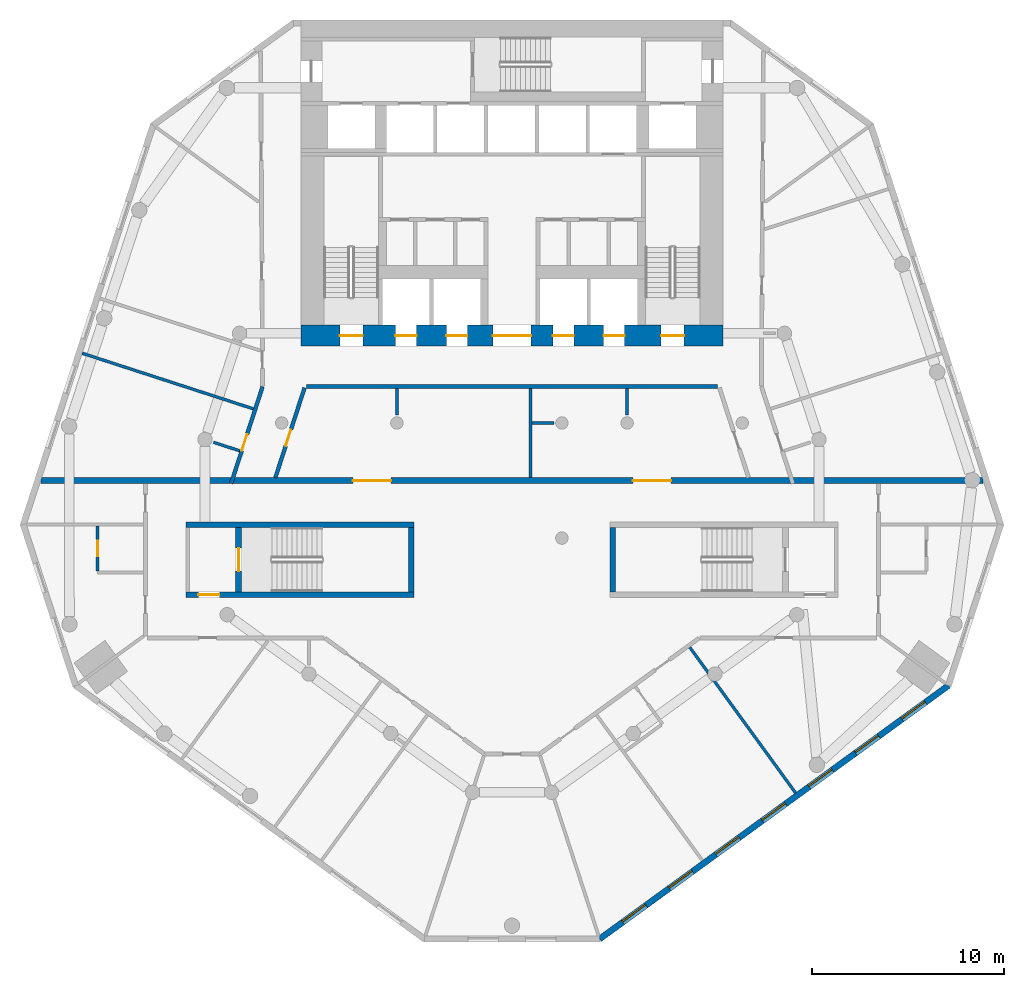
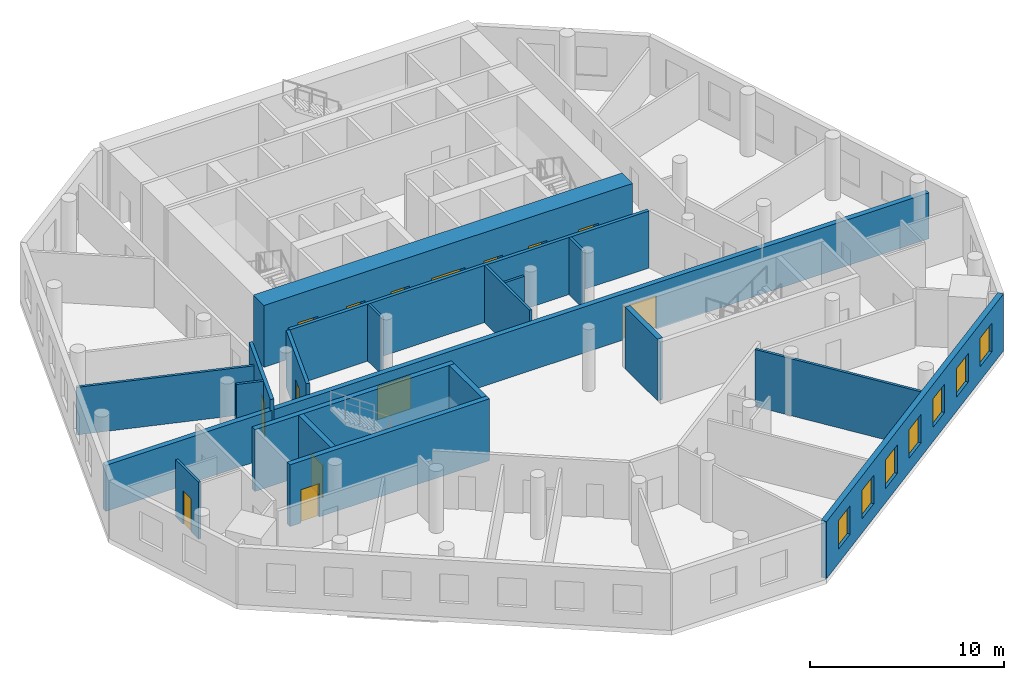
# One storey, part 3 of 9: 19 walls, 14 doors, 7 windows, 21 openings.
"""IFC4 building model written with IfcOpenShell, lengths in metres."""

from ifc_helpers import new_model, si_unit, direction, frame, frame_2d, origin, place, context, subcontext, project, spatial, rectangle, extrude, material, layer, layer_set, type_object, element, fill, save


model = new_model("IFC4")

# Units and contexts
model_context = context("Model", 3, precision=1e-05, world=origin(), true_north=direction((0.0, 1.0)))
body_context = subcontext(model_context, "Body", "Model", "MODEL_VIEW")
ifc_project = project(units=[si_unit("LENGTHUNIT", "METRE"), si_unit("AREAUNIT", "SQUARE_METRE"), si_unit("VOLUMEUNIT", "CUBIC_METRE"), si_unit("PLANEANGLEUNIT", "RADIAN"), si_unit("MASSUNIT", "GRAM", prefix="KILO")], contexts=[model_context])

# Site, building, storey
site_placement = place(None, origin())
site = spatial("IfcSite", under=ifc_project, at=site_placement, CompositionType="ELEMENT")
building_placement = place(site_placement, origin())
building = spatial("IfcBuilding", under=site, at=building_placement, Name="White Candle Pilgrim Tower", CompositionType="ELEMENT")
storey_placement = place(building_placement, frame((0.0, 0.0, 133.699951171875)))
storey = spatial("IfcBuildingStorey", under=building, at=storey_placement, Name="L30", CompositionType="ELEMENT", Elevation=133.699951171875)

# Wall, opening, door
ifc_material_1 = material(Name="Gypsum board on steel studs", Category="steel")
ifc_layer_1 = layer(ifc_material_1, 0.199951171875)
ifc_layer_set_1 = layer_set([ifc_layer_1], Name="Corridor wall 200 mm EI 45")
wall_type_1 = type_object("IfcWallType", Name="Corridor wall 200 mm EI 45", PredefinedType="PARTITIONING", material=ifc_layer_set_1)
wall_1_placement = place(storey_placement, frame((55.363037109375, 63.85009765625, 0.0), z_axis=(0.0, 0.0, 1.0), x_axis=(0.309051657945, 0.95104525272, 0.0)))
wall_1 = element("IfcWall", 1, at=wall_1_placement, inside=storey, type_object=wall_type_1, Name="WL-L30-P002", PredefinedType="PARTITIONING", context=body_context, shape_type="SweptSolid", body=[
    extrude(rectangle(XDim=5.29345703125, YDim=0.199951171875, at=frame_2d((2.646728515625, 0.0))), origin(), (0.0, 0.0, 1.0), 3.60009765625),
])
opening_1_placement = place(wall_1_placement, frame((1.79150390625, 0.0, 0.0)))
opening_1 = element("IfcOpeningElement", 2, at=opening_1_placement, cuts=wall_1, Name="Opening T09-117", PredefinedType="OPENING", context=body_context, shape_type="SweptSolid", body=[
    extrude(rectangle(XDim=0.89990234375, YDim=2.10009765625, at=frame_2d((0.449951171875, 1.050048828125))), frame((0.0, 0.10986328125, 0.0), z_axis=(0.0, -1.0, 0.0), x_axis=(1.0, 0.0, 0.0)), (0.0, 0.0, 1.0), 0.219970703125),
])
ifc_material_2 = material(Name="Steel door leaf", Category="steel")
door_type_1 = type_object("IfcDoorType", Name="Fire door 900 x 2100 EI 30", OperationType="NOTDEFINED", PredefinedType="DOOR", material=ifc_material_2)
door_1_placement = place(opening_1_placement, origin())
door_1 = element("IfcDoor", 3, at=door_1_placement, inside=storey, type_object=door_type_1, Name="Door T09-117", OperationType="SINGLE_SWING_LEFT", OverallHeight=2.10009765625, OverallWidth=0.89990234375, PredefinedType="DOOR", context=body_context, shape_type="SweptSolid", body=[
    extrude(rectangle(XDim=0.89990234375, YDim=2.10009765625, at=frame_2d((0.449951171875, 1.050048828125))), frame((0.0, 0.02490234375, 0.0), z_axis=(0.0, -1.0, 0.0), x_axis=(1.0, 0.0, 0.0)), (0.0, 0.0, 1.0), 0.050048828125),
])
fill(opening_1, door_1)

# Wall
wall_2_placement = place(storey_placement, frame((80.71533203125, 68.89990234375, 0.0), z_axis=(0.0, 0.0, 1.0), x_axis=(-1.0, 0.0, 0.0)))
element("IfcWall", 4, at=wall_2_placement, inside=storey, type_object=wall_type_1, Name="WL-L30-P013", PredefinedType="PARTITIONING", context=body_context, shape_type="SweptSolid", body=[
    extrude(rectangle(XDim=21.4306640625, YDim=0.199951171875, at=frame_2d((10.71533203125, 0.0))), origin(), (0.0, 0.0, 1.0), 3.60009765625),
])

# Wall, opening, door
wall_3_placement = place(storey_placement, frame((59.189697265625, 68.830810546875, 0.0), z_axis=(0.0, 0.0, 1.0), x_axis=(-0.309031112369, -0.951051928965, 0.0)))
wall_3 = element("IfcWall", 5, at=wall_3_placement, inside=storey, type_object=wall_type_1, Name="WL-L30-P014", PredefinedType="PARTITIONING", context=body_context, shape_type="SweptSolid", body=[
    extrude(rectangle(XDim=4.921875, YDim=0.199951171875, at=frame_2d((2.4609375, 0.0))), origin(), (0.0, 0.0, 1.0), 3.60009765625),
])
opening_2_placement = place(wall_3_placement, frame((2.29150390625, 0.0, 0.0)))
opening_2 = element("IfcOpeningElement", 6, at=opening_2_placement, cuts=wall_3, Name="Opening T09-127", PredefinedType="OPENING", context=body_context, shape_type="SweptSolid", body=[
    extrude(rectangle(XDim=0.89990234375, YDim=2.10009765625, at=frame_2d((0.449951171875, 1.050048828125))), frame((0.0, 0.10986328125, 0.0), z_axis=(0.0, -1.0, 0.0), x_axis=(1.0, 0.0, 0.0)), (0.0, 0.0, 1.0), 0.219970703125),
])
door_2_placement = place(opening_2_placement, origin())
door_2 = element("IfcDoor", 7, at=door_2_placement, inside=storey, type_object=door_type_1, Name="Door T09-127", OperationType="SINGLE_SWING_LEFT", OverallHeight=2.10009765625, OverallWidth=0.89990234375, PredefinedType="DOOR", context=body_context, shape_type="SweptSolid", body=[
    extrude(rectangle(XDim=0.89990234375, YDim=2.10009765625, at=frame_2d((0.449951171875, 1.050048828125))), frame((0.0, 0.02490234375, 0.0), z_axis=(0.0, -1.0, 0.0), x_axis=(1.0, 0.0, 0.0)), (0.0, 0.0, 1.0), 0.050048828125),
])
fill(opening_2, door_2)

# Wall, openings, windows
ifc_material_3 = material(Name="Precast concrete C40/50", Category="concrete")
ifc_layer_2 = layer(ifc_material_3, 0.320068359375)
ifc_layer_set_2 = layer_set([ifc_layer_2], Name="Facade wall EW1 precast concrete C40/50 pier wall with timber-lined reveals")
wall_type_2 = type_object("IfcWallType", Name="Facade wall EW1 precast concrete C40/50 pier wall with timber-lined reveals", PredefinedType="SOLIDWALL", material=ifc_layer_set_2)
wall_4_placement = place(storey_placement, frame((74.56787109375, 40.106689453125, 0.0), z_axis=(0.0, 0.0, 1.0), x_axis=(0.809018352132, 0.587783383496, 0.0)))
wall_4 = element("IfcWall", 8, at=wall_4_placement, inside=storey, type_object=wall_type_2, Name="Facade wall L30 SE", PredefinedType="SOLIDWALL", context=body_context, shape_type="SweptSolid", body=[
    extrude(rectangle(XDim=22.47119140625, YDim=0.320068359375, at=frame_2d((11.235595703125, 0.0))), origin(), (0.0, 0.0, 1.0), 3.60009765625),
])
opening_3_placement = place(wall_4_placement, frame((1.485595703125, 0.0, 0.89990234375)))
opening_3 = element("IfcOpeningElement", 9, at=opening_3_placement, cuts=wall_4, Name="Opening W1", PredefinedType="OPENING", context=body_context, shape_type="SweptSolid", body=[
    extrude(rectangle(XDim=1.5, YDim=1.800048828125, at=frame_2d((0.75, 0.89990234375))), frame((0.0, 0.169921875, 0.0), z_axis=(0.0, -1.0, 0.0), x_axis=(1.0, 0.0, 0.0)), (0.0, 0.0, 1.0), 0.340087890625),
])
opening_4_placement = place(wall_4_placement, frame((4.485595703125, 0.0, 0.89990234375)))
opening_4 = element("IfcOpeningElement", 10, at=opening_4_placement, cuts=wall_4, Name="Opening W1", PredefinedType="OPENING", context=body_context, shape_type="SweptSolid", body=[
    extrude(rectangle(XDim=1.5, YDim=1.800048828125, at=frame_2d((0.75, 0.89990234375))), frame((0.0, 0.169921875, 0.0), z_axis=(0.0, -1.0, 0.0), x_axis=(1.0, 0.0, 0.0)), (0.0, 0.0, 1.0), 0.340087890625),
])
opening_5_placement = place(wall_4_placement, frame((7.485595703125, 0.0, 0.89990234375)))
opening_5 = element("IfcOpeningElement", 11, at=opening_5_placement, cuts=wall_4, Name="Opening W1", PredefinedType="OPENING", context=body_context, shape_type="SweptSolid", body=[
    extrude(rectangle(XDim=1.5, YDim=1.800048828125, at=frame_2d((0.75, 0.89990234375))), frame((0.0, 0.169921875, 0.0), z_axis=(0.0, -1.0, 0.0), x_axis=(1.0, 0.0, 0.0)), (0.0, 0.0, 1.0), 0.340087890625),
])
opening_6_placement = place(wall_4_placement, frame((10.485595703125, 0.0, 0.89990234375)))
opening_6 = element("IfcOpeningElement", 12, at=opening_6_placement, cuts=wall_4, Name="Opening W1", PredefinedType="OPENING", context=body_context, shape_type="SweptSolid", body=[
    extrude(rectangle(XDim=1.5, YDim=1.800048828125, at=frame_2d((0.75, 0.89990234375))), frame((0.0, 0.169921875, 0.0), z_axis=(0.0, -1.0, 0.0), x_axis=(1.0, 0.0, 0.0)), (0.0, 0.0, 1.0), 0.340087890625),
])
opening_7_placement = place(wall_4_placement, frame((13.485595703125, 0.0, 0.89990234375)))
opening_7 = element("IfcOpeningElement", 13, at=opening_7_placement, cuts=wall_4, Name="Opening W1", PredefinedType="OPENING", context=body_context, shape_type="SweptSolid", body=[
    extrude(rectangle(XDim=1.5, YDim=1.800048828125, at=frame_2d((0.75, 0.89990234375))), frame((0.0, 0.169921875, 0.0), z_axis=(0.0, -1.0, 0.0), x_axis=(1.0, 0.0, 0.0)), (0.0, 0.0, 1.0), 0.340087890625),
])
opening_8_placement = place(wall_4_placement, frame((16.485595703125, 0.0, 0.89990234375)))
opening_8 = element("IfcOpeningElement", 14, at=opening_8_placement, cuts=wall_4, Name="Opening W1", PredefinedType="OPENING", context=body_context, shape_type="SweptSolid", body=[
    extrude(rectangle(XDim=1.5, YDim=1.800048828125, at=frame_2d((0.75, 0.89990234375))), frame((0.0, 0.169921875, 0.0), z_axis=(0.0, -1.0, 0.0), x_axis=(1.0, 0.0, 0.0)), (0.0, 0.0, 1.0), 0.340087890625),
])
opening_9_placement = place(wall_4_placement, frame((19.485595703125, 0.0, 0.89990234375)))
opening_9 = element("IfcOpeningElement", 15, at=opening_9_placement, cuts=wall_4, Name="Opening W1", PredefinedType="OPENING", context=body_context, shape_type="SweptSolid", body=[
    extrude(rectangle(XDim=1.5, YDim=1.800048828125, at=frame_2d((0.75, 0.89990234375))), frame((0.0, 0.169921875, 0.0), z_axis=(0.0, -1.0, 0.0), x_axis=(1.0, 0.0, 0.0)), (0.0, 0.0, 1.0), 0.340087890625),
])
ifc_material_4 = material(Name="Timber frame with triple glazing", Category="wood")
window_type = type_object("IfcWindowType", Name="Window W1 1500x1800 timber frame triple glazing", PartitioningType="SINGLE_PANEL", PredefinedType="WINDOW", material=ifc_material_4)
window_1_placement = place(opening_3_placement, origin())
window_1 = element("IfcWindow", 16, at=window_1_placement, inside=storey, type_object=window_type, Name="Window W1 L30 SE 1", OverallHeight=1.800048828125, OverallWidth=1.5, PartitioningType="SINGLE_PANEL", PredefinedType="WINDOW", context=body_context, shape_type="SweptSolid", body=[
    extrude(rectangle(XDim=1.5, YDim=1.800048828125, at=frame_2d((0.75, 0.89990234375))), frame((0.0, 0.070068359375, 0.0), z_axis=(0.0, -1.0, 0.0), x_axis=(1.0, 0.0, 0.0)), (0.0, 0.0, 1.0), 0.06005859375),
])
fill(opening_3, window_1)
window_2_placement = place(opening_4_placement, origin())
window_2 = element("IfcWindow", 17, at=window_2_placement, inside=storey, type_object=window_type, Name="Window W1 L30 SE 2", OverallHeight=1.800048828125, OverallWidth=1.5, PartitioningType="SINGLE_PANEL", PredefinedType="WINDOW", context=body_context, shape_type="SweptSolid", body=[
    extrude(rectangle(XDim=1.5, YDim=1.800048828125, at=frame_2d((0.75, 0.89990234375))), frame((0.0, 0.070068359375, 0.0), z_axis=(0.0, -1.0, 0.0), x_axis=(1.0, 0.0, 0.0)), (0.0, 0.0, 1.0), 0.06005859375),
])
fill(opening_4, window_2)
window_3_placement = place(opening_5_placement, origin())
window_3 = element("IfcWindow", 18, at=window_3_placement, inside=storey, type_object=window_type, Name="Window W1 L30 SE 3", OverallHeight=1.800048828125, OverallWidth=1.5, PartitioningType="SINGLE_PANEL", PredefinedType="WINDOW", context=body_context, shape_type="SweptSolid", body=[
    extrude(rectangle(XDim=1.5, YDim=1.800048828125, at=frame_2d((0.75, 0.89990234375))), frame((0.0, 0.070068359375, 0.0), z_axis=(0.0, -1.0, 0.0), x_axis=(1.0, 0.0, 0.0)), (0.0, 0.0, 1.0), 0.06005859375),
])
fill(opening_5, window_3)
window_4_placement = place(opening_6_placement, origin())
window_4 = element("IfcWindow", 19, at=window_4_placement, inside=storey, type_object=window_type, Name="Window W1 L30 SE 4", OverallHeight=1.800048828125, OverallWidth=1.5, PartitioningType="SINGLE_PANEL", PredefinedType="WINDOW", context=body_context, shape_type="SweptSolid", body=[
    extrude(rectangle(XDim=1.5, YDim=1.800048828125, at=frame_2d((0.75, 0.89990234375))), frame((0.0, 0.070068359375, 0.0), z_axis=(0.0, -1.0, 0.0), x_axis=(1.0, 0.0, 0.0)), (0.0, 0.0, 1.0), 0.06005859375),
])
fill(opening_6, window_4)
window_5_placement = place(opening_7_placement, origin())
window_5 = element("IfcWindow", 20, at=window_5_placement, inside=storey, type_object=window_type, Name="Window W1 L30 SE 5", OverallHeight=1.800048828125, OverallWidth=1.5, PartitioningType="SINGLE_PANEL", PredefinedType="WINDOW", context=body_context, shape_type="SweptSolid", body=[
    extrude(rectangle(XDim=1.5, YDim=1.800048828125, at=frame_2d((0.75, 0.89990234375))), frame((0.0, 0.070068359375, 0.0), z_axis=(0.0, -1.0, 0.0), x_axis=(1.0, 0.0, 0.0)), (0.0, 0.0, 1.0), 0.06005859375),
])
fill(opening_7, window_5)
window_6_placement = place(opening_8_placement, origin())
window_6 = element("IfcWindow", 21, at=window_6_placement, inside=storey, type_object=window_type, Name="Window W1 L30 SE 6", OverallHeight=1.800048828125, OverallWidth=1.5, PartitioningType="SINGLE_PANEL", PredefinedType="WINDOW", context=body_context, shape_type="SweptSolid", body=[
    extrude(rectangle(XDim=1.5, YDim=1.800048828125, at=frame_2d((0.75, 0.89990234375))), frame((0.0, 0.070068359375, 0.0), z_axis=(0.0, -1.0, 0.0), x_axis=(1.0, 0.0, 0.0)), (0.0, 0.0, 1.0), 0.06005859375),
])
fill(opening_8, window_6)
window_7_placement = place(opening_9_placement, origin())
window_7 = element("IfcWindow", 22, at=window_7_placement, inside=storey, type_object=window_type, Name="Window W1 L30 SE 7", OverallHeight=1.800048828125, OverallWidth=1.5, PartitioningType="SINGLE_PANEL", PredefinedType="WINDOW", context=body_context, shape_type="SweptSolid", body=[
    extrude(rectangle(XDim=1.5, YDim=1.800048828125, at=frame_2d((0.75, 0.89990234375))), frame((0.0, 0.070068359375, 0.0), z_axis=(0.0, -1.0, 0.0), x_axis=(1.0, 0.0, 0.0)), (0.0, 0.0, 1.0), 0.06005859375),
])
fill(opening_9, window_7)

# Wall, openings, doors
ifc_material_5 = material(Name="Aerated concrete block", Category="concrete")
ifc_layer_3 = layer(ifc_material_5, 0.300048828125)
ifc_layer_set_3 = layer_set([ifc_layer_3], Name="Fire wall 300 mm REI 240")
wall_type_3 = type_object("IfcWallType", Name="Fire wall 300 mm REI 240", PredefinedType="PARTITIONING", material=ifc_layer_set_3)
wall_5_placement = place(storey_placement, frame((45.444091796875, 64.0, 0.0), z_axis=(0.0, 0.0, 1.0), x_axis=(1.0, 0.0, 0.0)))
wall_5 = element("IfcWall", 23, at=wall_5_placement, inside=storey, type_object=wall_type_3, Name="WL-L30-P001", PredefinedType="PARTITIONING", context=body_context, shape_type="SweptSolid", body=[
    extrude(rectangle(XDim=49.11181640625, YDim=0.300048828125, at=frame_2d((24.555908203125, 0.0))), origin(), (0.0, 0.0, 1.0), 2.900146484375),
])
opening_10_placement = place(wall_5_placement, frame((16.261962890625, 0.0, 0.0)))
opening_10 = element("IfcOpeningElement", 24, at=opening_10_placement, cuts=wall_5, Name="Opening T09-114", PredefinedType="OPENING", context=body_context, shape_type="SweptSolid", body=[
    extrude(rectangle(XDim=2.0, YDim=2.10009765625, at=frame_2d((1.0, 1.050048828125))), frame((0.0, 0.159912109375, 0.0), z_axis=(0.0, -1.0, 0.0), x_axis=(1.0, 0.0, 0.0)), (0.0, 0.0, 1.0), 0.320068359375),
])
opening_11_placement = place(wall_5_placement, frame((30.85009765625, 0.0, 0.0)))
opening_11 = element("IfcOpeningElement", 25, at=opening_11_placement, cuts=wall_5, Name="Opening T09-115", PredefinedType="OPENING", context=body_context, shape_type="SweptSolid", body=[
    extrude(rectangle(XDim=2.0, YDim=2.10009765625, at=frame_2d((1.0, 1.050048828125))), frame((0.0, 0.159912109375, 0.0), z_axis=(0.0, -1.0, 0.0), x_axis=(1.0, 0.0, 0.0)), (0.0, 0.0, 1.0), 0.320068359375),
])
door_type_2 = type_object("IfcDoorType", Name="Fire door 2000 x 2100 EI 60", OperationType="NOTDEFINED", PredefinedType="DOOR", material=ifc_material_2)
door_3_placement = place(opening_10_placement, origin())
door_3 = element("IfcDoor", 26, at=door_3_placement, inside=storey, type_object=door_type_2, Name="Door T09-114", OperationType="DOUBLE_DOOR_SINGLE_SWING", OverallHeight=2.10009765625, OverallWidth=2.0, PredefinedType="DOOR", context=body_context, shape_type="SweptSolid", body=[
    extrude(rectangle(XDim=2.0, YDim=2.10009765625, at=frame_2d((1.0, 1.050048828125))), frame((0.0, 0.02490234375, 0.0), z_axis=(0.0, -1.0, 0.0), x_axis=(1.0, 0.0, 0.0)), (0.0, 0.0, 1.0), 0.050048828125),
])
fill(opening_10, door_3)
door_4_placement = place(opening_11_placement, origin())
door_4 = element("IfcDoor", 27, at=door_4_placement, inside=storey, type_object=door_type_2, Name="Door T09-115", OperationType="DOUBLE_DOOR_SINGLE_SWING", OverallHeight=2.10009765625, OverallWidth=2.0, PredefinedType="DOOR", context=body_context, shape_type="SweptSolid", body=[
    extrude(rectangle(XDim=2.0, YDim=2.10009765625, at=frame_2d((1.0, 1.050048828125))), frame((0.0, 0.02490234375, 0.0), z_axis=(0.0, -1.0, 0.0), x_axis=(1.0, 0.0, 0.0)), (0.0, 0.0, 1.0), 0.050048828125),
])
fill(opening_11, door_4)

# Wall
ifc_layer_4 = layer(ifc_material_1, 0.14990234375)
ifc_layer_set_4 = layer_set([ifc_layer_4], Name="Partition 150 mm EI 60")
wall_type_4 = type_object("IfcWallType", Name="Partition 150 mm EI 60", PredefinedType="PARTITIONING", material=ifc_layer_set_4)
wall_6_placement = place(storey_placement, frame((47.599609375, 70.6337890625, 0.0), z_axis=(0.0, 0.0, 1.0), x_axis=(0.951060843481, -0.309003676349, 0.0)))
element("IfcWall", 28, at=wall_6_placement, inside=storey, type_object=wall_type_4, Name="WL-L30-P025", PredefinedType="PARTITIONING", context=body_context, shape_type="SweptSolid", body=[
    extrude(rectangle(XDim=9.3798828125, YDim=0.14990234375, at=frame_2d((4.68994140625, 0.0))), origin(), (0.0, 0.0, 1.0), 3.0),
])

# Wall, opening, door
wall_7_placement = place(storey_placement, frame((48.39990234375, 61.624267578125, 0.0), z_axis=(0.0, 0.0, 1.0), x_axis=(0.0, -1.0, 0.0)))
wall_7 = element("IfcWall", 29, at=wall_7_placement, inside=storey, type_object=wall_type_4, Name="WL-L30-P027", PredefinedType="PARTITIONING", context=body_context, shape_type="SweptSolid", body=[
    extrude(rectangle(XDim=2.35009765625, YDim=0.14990234375, at=frame_2d((1.175048828125, 0.0))), origin(), (0.0, 0.0, 1.0), 3.60009765625),
])
opening_12_placement = place(wall_7_placement, frame((0.77490234375, 0.0, 0.0)))
opening_12 = element("IfcOpeningElement", 30, at=opening_12_placement, cuts=wall_7, Name="Opening T09-101", PredefinedType="OPENING", context=body_context, shape_type="SweptSolid", body=[
    extrude(rectangle(XDim=0.800048828125, YDim=2.10009765625, at=frame_2d((0.39990234375, 1.050048828125))), frame((0.0, 0.0849609375, 0.0), z_axis=(0.0, -1.0, 0.0), x_axis=(1.0, 0.0, 0.0)), (0.0, 0.0, 1.0), 0.169921875),
])
door_type_3 = type_object("IfcDoorType", Name="Fire door 800 x 2100 EI 30", OperationType="NOTDEFINED", PredefinedType="DOOR", material=ifc_material_2)
door_5_placement = place(opening_12_placement, frame((0.800048828125, 0.0, 0.0), z_axis=(0.0, 0.0, 1.0), x_axis=(-1.0, 0.0, 0.0)))
door_5 = element("IfcDoor", 31, at=door_5_placement, inside=storey, type_object=door_type_3, Name="Door T09-101", OperationType="SINGLE_SWING_RIGHT", OverallHeight=2.10009765625, OverallWidth=0.800048828125, PredefinedType="DOOR", context=body_context, shape_type="SweptSolid", body=[
    extrude(rectangle(XDim=0.800048828125, YDim=2.10009765625, at=frame_2d((0.39990234375, 1.050048828125))), frame((0.0, 0.02490234375, 0.0), z_axis=(0.0, -1.0, 0.0), x_axis=(1.0, 0.0, 0.0)), (0.0, 0.0, 1.0), 0.050048828125),
])
fill(opening_12, door_5)

# Walls
wall_8_placement = place(storey_placement, frame((84.77734375, 47.721923828125, 0.0), z_axis=(0.0, 0.0, 1.0), x_axis=(-0.587783184234, 0.809018496903, 0.0)))
element("IfcWall", 32, at=wall_8_placement, inside=storey, type_object=wall_type_4, Name="WL-L30-P032", PredefinedType="PARTITIONING", context=body_context, shape_type="SweptSolid", body=[
    extrude(rectangle(XDim=9.380126953125, YDim=0.14990234375, at=frame_2d((4.68994140625, 0.0))), origin(), (0.0, 0.0, 1.0), 3.60009765625),
])
wall_9_placement = place(storey_placement, frame((70.95458984375, 64.14990234375, 0.0), z_axis=(0.0, 0.0, 1.0), x_axis=(0.0, 1.0, 0.0)))
element("IfcWall", 33, at=wall_9_placement, inside=storey, type_object=wall_type_4, Name="WL-L30-P039", PredefinedType="PARTITIONING", context=body_context, shape_type="SweptSolid", body=[
    extrude(rectangle(XDim=4.650146484375, YDim=0.14990234375, at=frame_2d((2.3251953125, 0.0))), origin(), (0.0, 0.0, 1.0), 3.60009765625),
])
wall_10_placement = place(storey_placement, frame((54.441162109375, 65.992919921875, 0.0), z_axis=(0.0, 0.0, 1.0), x_axis=(0.951031575326, -0.309093744246, 0.0)))
element("IfcWall", 34, at=wall_10_placement, inside=storey, type_object=wall_type_4, Name="WL-L30-P044", PredefinedType="PARTITIONING", context=body_context, shape_type="SweptSolid", body=[
    extrude(rectangle(XDim=1.439208984375, YDim=0.14990234375, at=frame_2d((0.7197265625, 0.0))), origin(), (0.0, 0.0, 1.0), 3.60009765625),
])
wall_11_placement = place(storey_placement, frame((63.997802734375, 67.4150390625, 0.0), z_axis=(0.0, 0.0, 1.0), x_axis=(0.0, 1.0, 0.0)))
element("IfcWall", 35, at=wall_11_placement, inside=storey, type_object=wall_type_4, Name="WL-L30-P045", PredefinedType="PARTITIONING", context=body_context, shape_type="SweptSolid", body=[
    extrude(rectangle(XDim=1.385009765625, YDim=0.14990234375, at=frame_2d((0.6923828125, 0.0))), origin(), (0.0, 0.0, 1.0), 3.60009765625),
])
wall_12_placement = place(storey_placement, frame((72.18505859375, 66.997802734375, 0.0), z_axis=(0.0, 0.0, 1.0), x_axis=(-1.0, 0.0, 0.0)))
element("IfcWall", 36, at=wall_12_placement, inside=storey, type_object=wall_type_4, Name="WL-L30-P046", PredefinedType="PARTITIONING", context=body_context, shape_type="SweptSolid", body=[
    extrude(rectangle(XDim=1.155517578125, YDim=0.14990234375, at=frame_2d((0.57763671875, 0.0))), origin(), (0.0, 0.0, 1.0), 3.60009765625),
])
wall_13_placement = place(storey_placement, frame((75.997802734375, 67.4150390625, 0.0), z_axis=(0.0, 0.0, 1.0), x_axis=(0.0, 1.0, 0.0)))
element("IfcWall", 37, at=wall_13_placement, inside=storey, type_object=wall_type_4, Name="WL-L30-P047", PredefinedType="PARTITIONING", context=body_context, shape_type="SweptSolid", body=[
    extrude(rectangle(XDim=1.385009765625, YDim=0.14990234375, at=frame_2d((0.6923828125, 0.0))), origin(), (0.0, 0.0, 1.0), 3.60009765625),
])

# Wall, openings, doors
ifc_material_6 = material(Name="Concrete C60/75", Category="concrete")
ifc_layer_5 = layer(ifc_material_6, 1.10009765625)
ifc_layer_set_5 = layer_set([ifc_layer_5], Name="Stair shaft wall 1100 mm Concrete C60/75")
wall_type_5 = type_object("IfcWallType", Name="Stair shaft wall 1100 mm Concrete C60/75", PredefinedType="SHEAR", material=ifc_layer_set_5)
wall_14_placement = place(storey_placement, frame((59.0, 71.550048828125, 0.0), z_axis=(0.0, 0.0, 1.0), x_axis=(1.0, 0.0, 0.0)))
wall_14 = element("IfcWall", 38, at=wall_14_placement, inside=storey, type_object=wall_type_5, Name="WL-L30-C11", PredefinedType="SHEAR", context=body_context, shape_type="SweptSolid", body=[
    extrude(rectangle(XDim=22.0, YDim=1.10009765625, at=frame_2d((11.0, 0.0))), origin(), (0.0, 0.0, 1.0), 3.900146484375),
])
opening_13_placement = place(wall_14_placement, frame((2.02490234375, 0.0, 0.0)))
opening_13 = element("IfcOpeningElement", 39, at=opening_13_placement, cuts=wall_14, Name="Opening T09-001", PredefinedType="OPENING", context=body_context, shape_type="SweptSolid", body=[
    extrude(rectangle(XDim=1.199951171875, YDim=2.10009765625, at=frame_2d((0.60009765625, 1.050048828125))), frame((0.0, 0.56005859375, 0.0), z_axis=(0.0, -1.0, 0.0), x_axis=(1.0, 0.0, 0.0)), (0.0, 0.0, 1.0), 1.1201171875),
])
opening_14_placement = place(wall_14_placement, frame((18.77490234375, 0.0, 0.0)))
opening_14 = element("IfcOpeningElement", 40, at=opening_14_placement, cuts=wall_14, Name="Opening T09-002", PredefinedType="OPENING", context=body_context, shape_type="SweptSolid", body=[
    extrude(rectangle(XDim=1.199951171875, YDim=2.10009765625, at=frame_2d((0.60009765625, 1.050048828125))), frame((0.0, 0.56005859375, 0.0), z_axis=(0.0, -1.0, 0.0), x_axis=(1.0, 0.0, 0.0)), (0.0, 0.0, 1.0), 1.1201171875),
])
opening_15_placement = place(wall_14_placement, frame((10.0, 0.0, 0.0)))
opening_15 = element("IfcOpeningElement", 41, at=opening_15_placement, cuts=wall_14, Name="Opening T09-004", PredefinedType="OPENING", context=body_context, shape_type="SweptSolid", body=[
    extrude(rectangle(XDim=2.0, YDim=2.10009765625, at=frame_2d((1.0, 1.050048828125))), frame((0.0, 0.56005859375, 0.0), z_axis=(0.0, -1.0, 0.0), x_axis=(1.0, 0.0, 0.0)), (0.0, 0.0, 1.0), 1.1201171875),
])
opening_16_placement = place(wall_14_placement, frame((4.925048828125, 0.0, 0.0)))
opening_16 = element("IfcOpeningElement", 42, at=opening_16_placement, cuts=wall_14, Name="Opening T09-014", PredefinedType="OPENING", context=body_context, shape_type="SweptSolid", body=[
    extrude(rectangle(XDim=1.10009765625, YDim=2.10009765625, at=frame_2d((0.550048828125, 1.050048828125))), frame((0.0, 0.56005859375, 0.0), z_axis=(0.0, -1.0, 0.0), x_axis=(1.0, 0.0, 0.0)), (0.0, 0.0, 1.0), 1.1201171875),
])
opening_17_placement = place(wall_14_placement, frame((7.574951171875, 0.0, 0.0)))
opening_17 = element("IfcOpeningElement", 43, at=opening_17_placement, cuts=wall_14, Name="Opening T09-015", PredefinedType="OPENING", context=body_context, shape_type="SweptSolid", body=[
    extrude(rectangle(XDim=1.10009765625, YDim=2.10009765625, at=frame_2d((0.550048828125, 1.050048828125))), frame((0.0, 0.56005859375, 0.0), z_axis=(0.0, -1.0, 0.0), x_axis=(1.0, 0.0, 0.0)), (0.0, 0.0, 1.0), 1.1201171875),
])
opening_18_placement = place(wall_14_placement, frame((13.125, 0.0, 0.0)))
opening_18 = element("IfcOpeningElement", 44, at=opening_18_placement, cuts=wall_14, Name="Opening T09-016", PredefinedType="OPENING", context=body_context, shape_type="SweptSolid", body=[
    extrude(rectangle(XDim=1.10009765625, YDim=2.10009765625, at=frame_2d((0.550048828125, 1.050048828125))), frame((0.0, 0.56005859375, 0.0), z_axis=(0.0, -1.0, 0.0), x_axis=(1.0, 0.0, 0.0)), (0.0, 0.0, 1.0), 1.1201171875),
])
opening_19_placement = place(wall_14_placement, frame((15.77490234375, 0.0, 0.0)))
opening_19 = element("IfcOpeningElement", 45, at=opening_19_placement, cuts=wall_14, Name="Opening T09-017", PredefinedType="OPENING", context=body_context, shape_type="SweptSolid", body=[
    extrude(rectangle(XDim=1.10009765625, YDim=2.10009765625, at=frame_2d((0.550048828125, 1.050048828125))), frame((0.0, 0.56005859375, 0.0), z_axis=(0.0, -1.0, 0.0), x_axis=(1.0, 0.0, 0.0)), (0.0, 0.0, 1.0), 1.1201171875),
])
door_type_4 = type_object("IfcDoorType", Name="Fire door 1200 x 2100 EI 60", OperationType="NOTDEFINED", PredefinedType="DOOR", material=ifc_material_2)
door_6_placement = place(opening_13_placement, frame((1.199951171875, 0.0, 0.0), z_axis=(0.0, 0.0, 1.0), x_axis=(-1.0, 0.0, 0.0)))
door_6 = element("IfcDoor", 46, at=door_6_placement, inside=storey, type_object=door_type_4, Name="Door T09-001", OperationType="SINGLE_SWING_RIGHT", OverallHeight=2.10009765625, OverallWidth=1.199951171875, PredefinedType="DOOR", context=body_context, shape_type="SweptSolid", body=[
    extrude(rectangle(XDim=1.199951171875, YDim=2.10009765625, at=frame_2d((0.60009765625, 1.050048828125))), frame((0.0, 0.02490234375, 0.0), z_axis=(0.0, -1.0, 0.0), x_axis=(1.0, 0.0, 0.0)), (0.0, 0.0, 1.0), 0.050048828125),
])
fill(opening_13, door_6)
door_7_placement = place(opening_14_placement, frame((1.199951171875, 0.0, 0.0), z_axis=(0.0, 0.0, 1.0), x_axis=(-1.0, 0.0, 0.0)))
door_7 = element("IfcDoor", 47, at=door_7_placement, inside=storey, type_object=door_type_4, Name="Door T09-002", OperationType="SINGLE_SWING_LEFT", OverallHeight=2.10009765625, OverallWidth=1.199951171875, PredefinedType="DOOR", context=body_context, shape_type="SweptSolid", body=[
    extrude(rectangle(XDim=1.199951171875, YDim=2.10009765625, at=frame_2d((0.60009765625, 1.050048828125))), frame((0.0, 0.02490234375, 0.0), z_axis=(0.0, -1.0, 0.0), x_axis=(1.0, 0.0, 0.0)), (0.0, 0.0, 1.0), 0.050048828125),
])
fill(opening_14, door_7)
door_8_placement = place(opening_15_placement, frame((2.0, 0.0, 0.0), z_axis=(0.0, 0.0, 1.0), x_axis=(-1.0, 0.0, 0.0)))
door_8 = element("IfcDoor", 48, at=door_8_placement, inside=storey, type_object=door_type_2, Name="Door T09-004", OperationType="DOUBLE_DOOR_SINGLE_SWING", OverallHeight=2.10009765625, OverallWidth=2.0, PredefinedType="DOOR", context=body_context, shape_type="SweptSolid", body=[
    extrude(rectangle(XDim=2.0, YDim=2.10009765625, at=frame_2d((1.0, 1.050048828125))), frame((0.0, 0.02490234375, 0.0), z_axis=(0.0, -1.0, 0.0), x_axis=(1.0, 0.0, 0.0)), (0.0, 0.0, 1.0), 0.050048828125),
])
fill(opening_15, door_8)
ifc_material_7 = material(Name="Stainless steel", Category="steel")
door_type_5 = type_object("IfcDoorType", Name="Lift landing door 1100 x 2100 E 60", OperationType="DOUBLE_DOOR_SLIDING", PredefinedType="DOOR", material=ifc_material_7)
door_9_placement = place(opening_16_placement, origin())
door_9 = element("IfcDoor", 49, at=door_9_placement, inside=storey, type_object=door_type_5, Name="Door T09-014", OperationType="DOUBLE_DOOR_SLIDING", OverallHeight=2.10009765625, OverallWidth=1.10009765625, PredefinedType="DOOR", context=body_context, shape_type="SweptSolid", body=[
    extrude(rectangle(XDim=1.10009765625, YDim=2.10009765625, at=frame_2d((0.550048828125, 1.050048828125))), frame((0.0, 0.02490234375, 0.0), z_axis=(0.0, -1.0, 0.0), x_axis=(1.0, 0.0, 0.0)), (0.0, 0.0, 1.0), 0.050048828125),
])
fill(opening_16, door_9)
door_10_placement = place(opening_17_placement, origin())
door_10 = element("IfcDoor", 50, at=door_10_placement, inside=storey, type_object=door_type_5, Name="Door T09-015", OperationType="DOUBLE_DOOR_SLIDING", OverallHeight=2.10009765625, OverallWidth=1.10009765625, PredefinedType="DOOR", context=body_context, shape_type="SweptSolid", body=[
    extrude(rectangle(XDim=1.10009765625, YDim=2.10009765625, at=frame_2d((0.550048828125, 1.050048828125))), frame((0.0, 0.02490234375, 0.0), z_axis=(0.0, -1.0, 0.0), x_axis=(1.0, 0.0, 0.0)), (0.0, 0.0, 1.0), 0.050048828125),
])
fill(opening_17, door_10)
door_11_placement = place(opening_18_placement, origin())
door_11 = element("IfcDoor", 51, at=door_11_placement, inside=storey, type_object=door_type_5, Name="Door T09-016", OperationType="DOUBLE_DOOR_SLIDING", OverallHeight=2.10009765625, OverallWidth=1.10009765625, PredefinedType="DOOR", context=body_context, shape_type="SweptSolid", body=[
    extrude(rectangle(XDim=1.10009765625, YDim=2.10009765625, at=frame_2d((0.550048828125, 1.050048828125))), frame((0.0, 0.02490234375, 0.0), z_axis=(0.0, -1.0, 0.0), x_axis=(1.0, 0.0, 0.0)), (0.0, 0.0, 1.0), 0.050048828125),
])
fill(opening_18, door_11)
door_12_placement = place(opening_19_placement, origin())
door_12 = element("IfcDoor", 52, at=door_12_placement, inside=storey, type_object=door_type_5, Name="Door T09-017", OperationType="DOUBLE_DOOR_SLIDING", OverallHeight=2.10009765625, OverallWidth=1.10009765625, PredefinedType="DOOR", context=body_context, shape_type="SweptSolid", body=[
    extrude(rectangle(XDim=1.10009765625, YDim=2.10009765625, at=frame_2d((0.550048828125, 1.050048828125))), frame((0.0, 0.02490234375, 0.0), z_axis=(0.0, -1.0, 0.0), x_axis=(1.0, 0.0, 0.0)), (0.0, 0.0, 1.0), 0.050048828125),
])
fill(opening_19, door_12)

# Wall, opening, door
ifc_layer_6 = layer(ifc_material_6, 0.300048828125)
ifc_layer_set_6 = layer_set([ifc_layer_6], Name="Stair shaft wall 300 mm Concrete C60/75")
wall_type_6 = type_object("IfcWallType", Name="Stair shaft wall 300 mm Concrete C60/75", PredefinedType="SHEAR", material=ifc_layer_set_6)
wall_15_placement = place(storey_placement, frame((53.0, 58.050048828125, 0.0), z_axis=(0.0, 0.0, 1.0), x_axis=(1.0, 0.0, 0.0)))
wall_15 = element("IfcWall", 53, at=wall_15_placement, inside=storey, type_object=wall_type_6, Name="WL-L30-C01", PredefinedType="SHEAR", context=body_context, shape_type="SweptSolid", body=[
    extrude(rectangle(XDim=11.89990234375, YDim=0.300048828125, at=frame_2d((5.949951171875, 0.0))), origin(), (0.0, 0.0, 1.0), 3.900146484375),
])
opening_20_placement = place(wall_15_placement, frame((0.64990234375, 0.0, 0.0)))
opening_20 = element("IfcOpeningElement", 54, at=opening_20_placement, cuts=wall_15, Name="Opening T09-007", PredefinedType="OPENING", context=body_context, shape_type="SweptSolid", body=[
    extrude(rectangle(XDim=1.10009765625, YDim=2.10009765625, at=frame_2d((0.550048828125, 1.050048828125))), frame((0.0, 0.159912109375, 0.0), z_axis=(0.0, -1.0, 0.0), x_axis=(1.0, 0.0, 0.0)), (0.0, 0.0, 1.0), 0.320068359375),
])
door_type_6 = type_object("IfcDoorType", Name="Fire door 1100 x 2100 EI 60", OperationType="NOTDEFINED", PredefinedType="DOOR", material=ifc_material_2)
door_13_placement = place(opening_20_placement, origin())
door_13 = element("IfcDoor", 55, at=door_13_placement, inside=storey, type_object=door_type_6, Name="Door T09-007", OperationType="SINGLE_SWING_LEFT", OverallHeight=2.10009765625, OverallWidth=1.10009765625, PredefinedType="DOOR", context=body_context, shape_type="SweptSolid", body=[
    extrude(rectangle(XDim=1.10009765625, YDim=2.10009765625, at=frame_2d((0.550048828125, 1.050048828125))), frame((0.0, 0.02490234375, 0.0), z_axis=(0.0, -1.0, 0.0), x_axis=(1.0, 0.0, 0.0)), (0.0, 0.0, 1.0), 0.050048828125),
])
fill(opening_20, door_13)

wall_16_placement = place(storey_placement, frame((55.75, 58.199951171875, 0.0), z_axis=(0.0, 0.0, 1.0), x_axis=(0.0, 1.0, 0.0)))
wall_16 = element("IfcWall", 56, at=wall_16_placement, inside=storey, type_object=wall_type_6, Name="WL-L30-C04", PredefinedType="SHEAR", context=body_context, shape_type="SweptSolid", body=[
    extrude(rectangle(XDim=3.35009765625, YDim=0.300048828125, at=frame_2d((1.675048828125, 0.0))), origin(), (0.0, 0.0, 1.0), 3.900146484375),
])
opening_21_placement = place(wall_16_placement, frame((1.074951171875, 0.0, 0.0)))
opening_21 = element("IfcOpeningElement", 57, at=opening_21_placement, cuts=wall_16, Name="Opening T09-008", PredefinedType="OPENING", context=body_context, shape_type="SweptSolid", body=[
    extrude(rectangle(XDim=1.199951171875, YDim=2.10009765625, at=frame_2d((0.60009765625, 1.050048828125))), frame((0.0, 0.159912109375, 0.0), z_axis=(0.0, -1.0, 0.0), x_axis=(1.0, 0.0, 0.0)), (0.0, 0.0, 1.0), 0.320068359375),
])
door_14_placement = place(opening_21_placement, frame((1.199951171875, 0.0, 0.0), z_axis=(0.0, 0.0, 1.0), x_axis=(-1.0, 0.0, 0.0)))
door_14 = element("IfcDoor", 58, at=door_14_placement, inside=storey, type_object=door_type_4, Name="Door T09-008", OperationType="SINGLE_SWING_LEFT", OverallHeight=2.10009765625, OverallWidth=1.199951171875, PredefinedType="DOOR", context=body_context, shape_type="SweptSolid", body=[
    extrude(rectangle(XDim=1.199951171875, YDim=2.10009765625, at=frame_2d((0.60009765625, 1.050048828125))), frame((0.0, 0.02490234375, 0.0), z_axis=(0.0, -1.0, 0.0), x_axis=(1.0, 0.0, 0.0)), (0.0, 0.0, 1.0), 0.050048828125),
])
fill(opening_21, door_14)

# Walls
for number, where, z_axis, x_axis, name in (
    (59, (64.75, 58.199951171875, 0.0), (0.0, 0.0, 1.0), (0.0, 1.0, 0.0), "WL-L30-C05"),
    (60, (75.25, 58.199951171875, 0.0), (0.0, 0.0, 1.0), (0.0, 1.0, 0.0), "WL-L30-C06"),
):
    element("IfcWall", number, at=place(storey_placement, frame(where, z_axis=z_axis, x_axis=x_axis)), inside=storey, type_object=wall_type_6, Name=name, PredefinedType="SHEAR", context=body_context, shape_type="SweptSolid", body=[
        extrude(rectangle(XDim=3.35009765625, YDim=0.300048828125, at=frame_2d((1.675048828125, 0.0))), origin(), (0.0, 0.0, 1.0), 3.900146484375),
    ])
wall_17_placement = place(storey_placement, frame((53.0, 61.699951171875, 0.0), z_axis=(0.0, 0.0, 1.0), x_axis=(1.0, 0.0, 0.0)))
element("IfcWall", 61, at=wall_17_placement, inside=storey, type_object=wall_type_6, Name="WL-L30-C09", PredefinedType="SHEAR", context=body_context, shape_type="SweptSolid", body=[
    extrude(rectangle(XDim=11.89990234375, YDim=0.300048828125, at=frame_2d((5.949951171875, 0.0))), origin(), (0.0, 0.0, 1.0), 3.900146484375),
])

save(model, "model.ifc")
